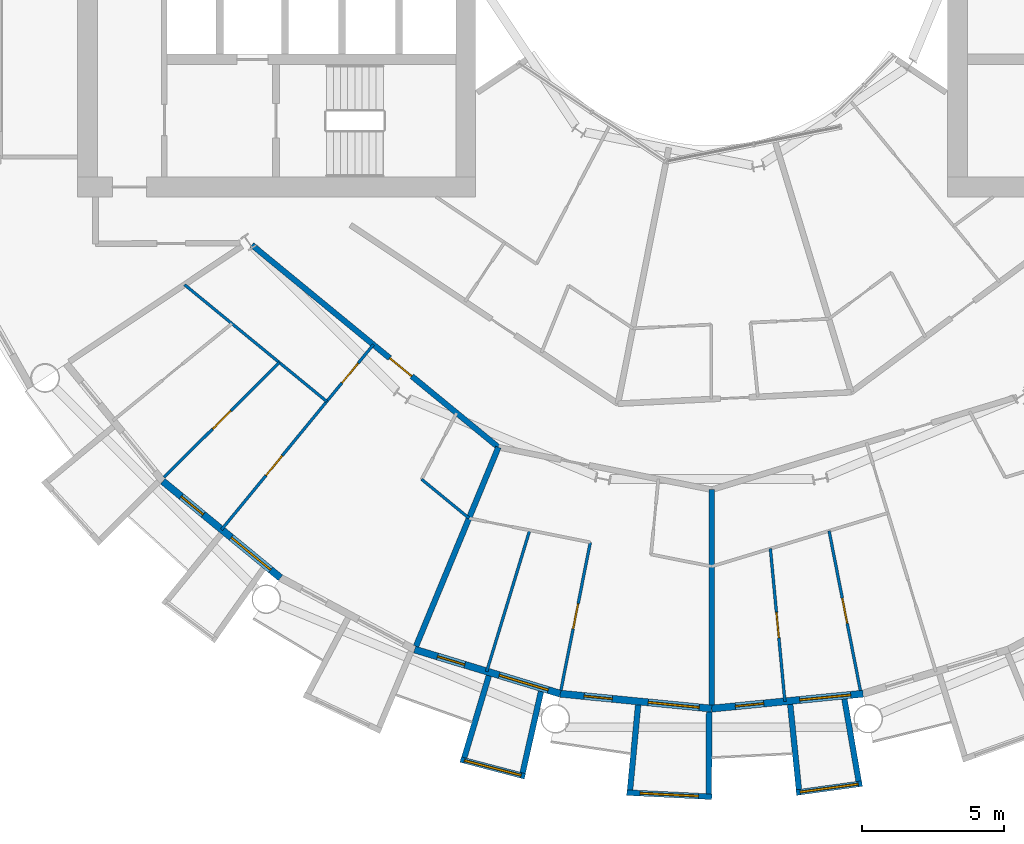
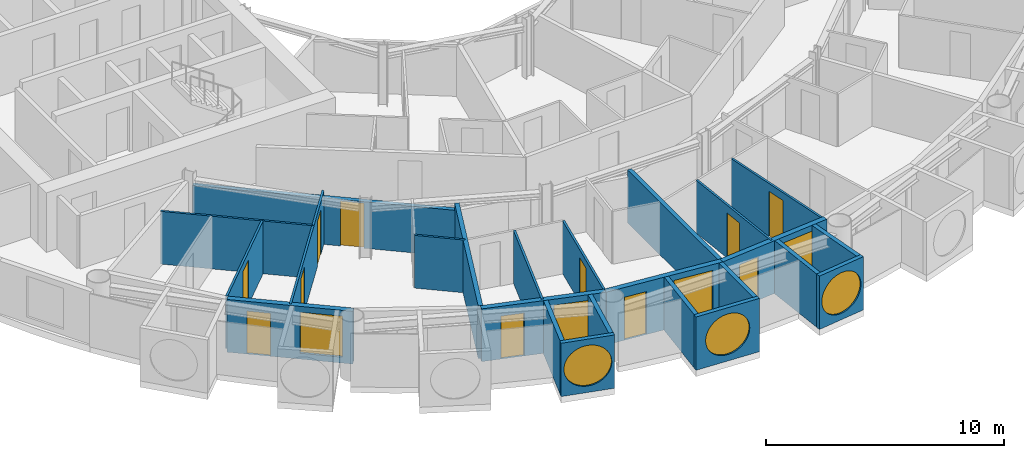
# One storey, part 13 of 26: 24 walls, 11 doors, 7 windows, 18 openings.
"""IFC4 building model written with IfcOpenShell, lengths in metres."""

from ifc_helpers import new_model, si_unit, direction, frame, frame_2d, origin, place, context, subcontext, project, spatial, rectangle, circle, extrude, material, layer, layer_set, type_object, element, fill, save


model = new_model("IFC4")

# Units and contexts
model_context = context("Model", 3, precision=1e-05, world=origin(), true_north=direction((0.0, 1.0)))
body_context = subcontext(model_context, "Body", "Model", "MODEL_VIEW")
ifc_project = project(units=[si_unit("LENGTHUNIT", "METRE"), si_unit("AREAUNIT", "SQUARE_METRE"), si_unit("VOLUMEUNIT", "CUBIC_METRE"), si_unit("PLANEANGLEUNIT", "RADIAN"), si_unit("MASSUNIT", "GRAM", prefix="KILO")], contexts=[model_context])

# Site, building, storey
site_placement = place(None, origin())
site = spatial("IfcSite", under=ifc_project, at=site_placement, CompositionType="ELEMENT")
building_placement = place(site_placement, origin())
building = spatial("IfcBuilding", under=site, at=building_placement, Name="Maasbend Ring Residences", CompositionType="ELEMENT")
storey_placement = place(building_placement, frame((0.0, 0.0, 88.0)))
storey = spatial("IfcBuildingStorey", under=building, at=storey_placement, Name="L25", CompositionType="ELEMENT", Elevation=88.0)

# Wall, opening, door
ifc_material_1 = material(Name="Concrete C30/37", Category="concrete")
ifc_layer_1 = layer(ifc_material_1, 0.199951171875)
ifc_layer_set_1 = layer_set([ifc_layer_1], Name="Concrete C30/37")
wall_type_1 = type_object("IfcWallType", Name="CORRIDOR WALL 200 CONCRETE", PredefinedType="PARTITIONING", material=ifc_layer_set_1)
wall_1_placement = place(storey_placement, frame((-16.173095703125, -10.990966796875, 0.0), z_axis=(0.0, 0.0, 1.0), x_axis=(0.773013989296, -0.634388975591, 0.0)))
wall_1 = element("IfcWall", 1, at=wall_1_placement, inside=storey, type_object=wall_type_1, Name="U-L25-w013", PredefinedType="PARTITIONING", context=body_context, shape_type="SweptSolid", body=[
    extrude(rectangle(XDim=11.218505859375, YDim=0.199951171875, at=frame_2d((5.609375, 0.0))), origin(), (0.0, 0.0, 1.0), 2.3798828125),
])
opening_1_placement = place(wall_1_placement, frame((6.278076171875, 0.0, 0.0)))
opening_1 = element("IfcOpeningElement", 2, at=opening_1_placement, cuts=wall_1, Name="Opening D-2532", PredefinedType="OPENING", context=body_context, shape_type="SweptSolid", body=[
    extrude(rectangle(XDim=1.0, YDim=2.300048828125, at=frame_2d((0.5, 1.14990234375))), frame((0.0, 0.10986328125, 0.0), z_axis=(0.0, -1.0, 0.0), x_axis=(1.0, 0.0, 0.0)), (0.0, 0.0, 1.0), 0.219970703125),
])
ifc_material_2 = material(Name="Timber, fire-rated, painted", Category="wood")
door_type_1 = type_object("IfcDoorType", Name="FLAT ENTRANCE DOOR 1000 X 2300 FIRE-RATED", OperationType="NOTDEFINED", PredefinedType="DOOR", material=ifc_material_2)
door_1_placement = place(opening_1_placement, origin())
door_1 = element("IfcDoor", 3, at=door_1_placement, inside=storey, type_object=door_type_1, Name="D-2532", OperationType="SINGLE_SWING_RIGHT", OverallHeight=2.300048828125, OverallWidth=1.0, PredefinedType="DOOR", context=body_context, shape_type="SweptSolid", body=[
    extrude(rectangle(XDim=1.0, YDim=2.300048828125, at=frame_2d((0.5, 1.14990234375))), frame((0.0, 0.02490234375, 0.0), z_axis=(0.0, -1.0, 0.0), x_axis=(1.0, 0.0, 0.0)), (0.0, 0.0, 1.0), 0.050048828125),
])
fill(opening_1, door_1)

# Wall, opening, window
ifc_material_3 = material(Name="Pale anodised aluminium panel", Category="aluminium")
ifc_layer_2 = layer(ifc_material_3, 0.199951171875)
ifc_layer_set_2 = layer_set([ifc_layer_2], Name="EW-BOX")
wall_type_2 = type_object("IfcWallType", Name="EW-BOX", PredefinedType="SOLIDWALL", material=ifc_layer_set_2)
wall_2_placement = place(storey_placement, frame((-8.827880859375, -29.090087890625, -0.030029296875), z_axis=(0.0, 0.0, 1.0), x_axis=(0.967377102346, -0.253340762326, 0.0)))
wall_2 = element("IfcWall", 4, at=wall_2_placement, inside=storey, type_object=wall_type_2, Name="Box front S08", PredefinedType="SOLIDWALL", context=body_context, shape_type="SweptSolid", body=[
    extrude(rectangle(XDim=2.3359375, YDim=0.199951171875, at=frame_2d((1.16796875, 0.0))), origin(), (0.0, 0.0, 1.0), 2.72998046875),
])
opening_2_placement = place(wall_2_placement, frame((0.128173828125, 0.0, 0.330078125)))
opening_2 = element("IfcOpeningElement", 5, at=opening_2_placement, cuts=wall_2, Name="Opening W-RD", PredefinedType="OPENING", context=body_context, shape_type="SweptSolid", body=[
    extrude(circle(Radius=1.0400390625, at=frame_2d((1.0400390625, 1.0400390625))), frame((0.0, 0.10986328125, 0.0), z_axis=(0.0, -1.0, 0.0), x_axis=(1.0, 0.0, 0.0)), (0.0, 0.0, 1.0), 0.219970703125),
])
ifc_material_4 = material(Name="Aluminium and clear glass", Category="aluminium")
window_type_1 = type_object("IfcWindowType", Name="W-RD", PartitioningType="SINGLE_PANEL", PredefinedType="WINDOW", material=ifc_material_4)
window_1_placement = place(opening_2_placement, origin())
window_1 = element("IfcWindow", 6, at=window_1_placement, inside=storey, type_object=window_type_1, Name="Round window S08", OverallHeight=2.080078125, OverallWidth=2.080078125, PartitioningType="SINGLE_PANEL", PredefinedType="WINDOW", context=body_context, shape_type="SweptSolid", body=[
    extrude(circle(Radius=1.0400390625, at=frame_2d((1.0400390625, 1.0400390625))), frame((0.0, 0.030029296875, 0.0), z_axis=(0.0, -1.0, 0.0), x_axis=(1.0, 0.0, 0.0)), (0.0, 0.0, 1.0), 0.06005859375),
])
fill(opening_2, window_1)

# Walls
wall_3_placement = place(storey_placement, frame((-7.8369140625, -26.14404296875, -0.030029296875), z_axis=(0.0, 0.0, 1.0), x_axis=(-0.287064767992, -0.957911174889, 0.0)))
element("IfcWall", 7, at=wall_3_placement, inside=storey, type_object=wall_type_2, Name="Box side wall S08 left", PredefinedType="SOLIDWALL", context=body_context, shape_type="SweptSolid", body=[
    extrude(rectangle(XDim=3.00634765625, YDim=0.199951171875, at=frame_2d((1.503173828125, 0.0))), origin(), (0.0, 0.0, 1.0), 2.72998046875),
])
wall_4_placement = place(storey_placement, frame((-6.00390625, -26.699951171875, -0.030029296875), z_axis=(0.0, 0.0, 1.0), x_axis=(-0.219609259383, -0.975587911566, 0.0)))
element("IfcWall", 8, at=wall_4_placement, inside=storey, type_object=wall_type_2, Name="Box side wall S08 right", PredefinedType="SOLIDWALL", context=body_context, shape_type="SweptSolid", body=[
    extrude(rectangle(XDim=2.9326171875, YDim=0.199951171875, at=frame_2d((1.46630859375, 0.0))), origin(), (0.0, 0.0, 1.0), 2.72998046875),
])

# Wall, opening, window
wall_5_placement = place(storey_placement, frame((-2.985107421875, -30.2529296875, -0.030029296875), z_axis=(0.0, 0.0, 1.0), x_axis=(0.998794083011, -0.049095618353, 0.0)))
wall_5 = element("IfcWall", 9, at=wall_5_placement, inside=storey, type_object=wall_type_2, Name="Box front S10", PredefinedType="SOLIDWALL", context=body_context, shape_type="SweptSolid", body=[
    extrude(rectangle(XDim=2.99365234375, YDim=0.199951171875, at=frame_2d((1.496826171875, 0.0))), origin(), (0.0, 0.0, 1.0), 2.72998046875),
])
opening_3_placement = place(wall_5_placement, frame((0.45654296875, 0.0, 0.330078125)))
opening_3 = element("IfcOpeningElement", 10, at=opening_3_placement, cuts=wall_5, Name="Opening W-RD", PredefinedType="OPENING", context=body_context, shape_type="SweptSolid", body=[
    extrude(circle(Radius=1.0400390625, at=frame_2d((1.0400390625, 1.0400390625))), frame((0.0, 0.10986328125, 0.0), z_axis=(0.0, -1.0, 0.0), x_axis=(1.0, 0.0, 0.0)), (0.0, 0.0, 1.0), 0.219970703125),
])
window_2_placement = place(opening_3_placement, origin())
window_2 = element("IfcWindow", 11, at=window_2_placement, inside=storey, type_object=window_type_1, Name="Round window S10", OverallHeight=2.080078125, OverallWidth=2.080078125, PartitioningType="SINGLE_PANEL", PredefinedType="WINDOW", context=body_context, shape_type="SweptSolid", body=[
    extrude(circle(Radius=1.0400390625, at=frame_2d((1.0400390625, 1.0400390625))), frame((0.0, 0.030029296875, 0.0), z_axis=(0.0, -1.0, 0.0), x_axis=(1.0, 0.0, 0.0)), (0.0, 0.0, 1.0), 0.06005859375),
])
fill(opening_3, window_2)

# Walls
wall_6_placement = place(storey_placement, frame((-2.5859375, -27.1708984375, -0.030029296875), z_axis=(0.0, 0.0, 1.0), x_axis=(-0.094548432284, -0.995520262954, 0.0)))
element("IfcWall", 12, at=wall_6_placement, inside=storey, type_object=wall_type_2, Name="Box side wall S10 left", PredefinedType="SOLIDWALL", context=body_context, shape_type="SweptSolid", body=[
    extrude(rectangle(XDim=3.005615234375, YDim=0.199951171875, at=frame_2d((1.5029296875, 0.0))), origin(), (0.0, 0.0, 1.0), 2.72998046875),
])
wall_7_placement = place(storey_placement, frame((-0.090087890625, -27.4169921875, -0.030029296875), z_axis=(0.0, 0.0, 1.0), x_axis=(-0.00347308367, -0.999993968827, 0.0)))
element("IfcWall", 13, at=wall_7_placement, inside=storey, type_object=wall_type_2, Name="Box side wall S10 right", PredefinedType="SOLIDWALL", context=body_context, shape_type="SweptSolid", body=[
    extrude(rectangle(XDim=2.882080078125, YDim=0.199951171875, at=frame_2d((1.44091796875, 0.0))), origin(), (0.0, 0.0, 1.0), 2.72998046875),
])

# Wall, opening, window
wall_8_placement = place(storey_placement, frame((2.97607421875, -30.25390625, -0.030029296875), z_axis=(0.0, 0.0, 1.0), x_axis=(0.990696111261, 0.136092671119, 0.0)))
wall_8 = element("IfcWall", 14, at=wall_8_placement, inside=storey, type_object=wall_type_2, Name="Box front S12", PredefinedType="SOLIDWALL", context=body_context, shape_type="SweptSolid", body=[
    extrude(rectangle(XDim=2.335693359375, YDim=0.199951171875, at=frame_2d((1.16796875, 0.0))), origin(), (0.0, 0.0, 1.0), 2.72998046875),
])
opening_4_placement = place(wall_8_placement, frame((0.128173828125, 0.0, 0.330078125)))
opening_4 = element("IfcOpeningElement", 15, at=opening_4_placement, cuts=wall_8, Name="Opening W-RD", PredefinedType="OPENING", context=body_context, shape_type="SweptSolid", body=[
    extrude(circle(Radius=1.0400390625, at=frame_2d((1.0400390625, 1.0400390625))), frame((0.0, 0.10986328125, 0.0), z_axis=(0.0, -1.0, 0.0), x_axis=(1.0, 0.0, 0.0)), (0.0, 0.0, 1.0), 0.219970703125),
])
window_3_placement = place(opening_4_placement, origin())
window_3 = element("IfcWindow", 16, at=window_3_placement, inside=storey, type_object=window_type_1, Name="Round window S12", OverallHeight=2.080078125, OverallWidth=2.080078125, PartitioningType="SINGLE_PANEL", PredefinedType="WINDOW", context=body_context, shape_type="SweptSolid", body=[
    extrude(circle(Radius=1.0400390625, at=frame_2d((1.0400390625, 1.0400390625))), frame((0.0, 0.030029296875, 0.0), z_axis=(0.0, -1.0, 0.0), x_axis=(1.0, 0.0, 0.0)), (0.0, 0.0, 1.0), 0.06005859375),
])
fill(opening_4, window_3)

# Walls
wall_9_placement = place(storey_placement, frame((2.763916015625, -27.153076171875, -0.030029296875), z_axis=(0.0, 0.0, 1.0), x_axis=(0.101505487237, -0.994834979311, 0.0)))
element("IfcWall", 17, at=wall_9_placement, inside=storey, type_object=wall_type_2, Name="Box side wall S12 left", PredefinedType="SOLIDWALL", context=body_context, shape_type="SweptSolid", body=[
    extrude(rectangle(XDim=3.006591796875, YDim=0.199951171875, at=frame_2d((1.50341796875, 0.0))), origin(), (0.0, 0.0, 1.0), 2.72998046875),
])
wall_10_placement = place(storey_placement, frame((4.6708984375, -26.966064453125, -0.030029296875), z_axis=(0.0, 0.0, 1.0), x_axis=(0.170539878907, -0.985350774954, 0.0)))
element("IfcWall", 18, at=wall_10_placement, inside=storey, type_object=wall_type_2, Name="Box side wall S12 right", PredefinedType="SOLIDWALL", context=body_context, shape_type="SweptSolid", body=[
    extrude(rectangle(XDim=2.931884765625, YDim=0.199951171875, at=frame_2d((1.4658203125, 0.0))), origin(), (0.0, 0.0, 1.0), 2.72998046875),
])

# Wall, openings, door, window
ifc_material_5 = material(Name="Aluminium clad insulated panel", Category="aluminium")
ifc_layer_3 = layer(ifc_material_5, 0.25)
ifc_layer_set_3 = layer_set([ifc_layer_3], Name="EW-GL")
wall_type_3 = type_object("IfcWallType", Name="EW-GL", PredefinedType="SOLIDWALL", material=ifc_layer_set_3)
wall_11_placement = place(storey_placement, frame((-19.303955078125, -19.303955078125, 0.0), z_axis=(0.0, 0.0, 1.0), x_axis=(0.773019449054, -0.634382322723, 0.0)))
wall_11 = element("IfcWall", 19, at=wall_11_placement, inside=storey, type_object=wall_type_3, Name="External wall S02", PredefinedType="SOLIDWALL", context=body_context, shape_type="SweptSolid", body=[
    extrude(rectangle(XDim=5.351806640625, YDim=0.25, at=frame_2d((2.67578125, 0.0))), origin(), (0.0, 0.0, 1.0), 2.699951171875),
])
opening_5_placement = place(wall_11_placement, frame((0.841064453125, 0.0, 0.0)))
opening_5 = element("IfcOpeningElement", 20, at=opening_5_placement, cuts=wall_11, Name="Opening D-LG", PredefinedType="OPENING", context=body_context, shape_type="SweptSolid", body=[
    extrude(rectangle(XDim=1.0, YDim=2.199951171875, at=frame_2d((0.5, 1.10009765625))), frame((0.0, 0.135009765625, 0.0), z_axis=(0.0, -1.0, 0.0), x_axis=(1.0, 0.0, 0.0)), (0.0, 0.0, 1.0), 0.27001953125),
])
opening_6_placement = place(wall_11_placement, frame((3.110595703125, 0.0, 0.300048828125)))
opening_6 = element("IfcOpeningElement", 21, at=opening_6_placement, cuts=wall_11, Name="Opening W-BX", PredefinedType="OPENING", context=body_context, shape_type="SweptSolid", body=[
    extrude(rectangle(XDim=1.800048828125, YDim=2.10009765625, at=frame_2d((0.89990234375, 1.050048828125))), frame((0.0, 0.135009765625, 0.0), z_axis=(0.0, -1.0, 0.0), x_axis=(1.0, 0.0, 0.0)), (0.0, 0.0, 1.0), 0.27001953125),
])
ifc_material_6 = material(Name="Aluminium and clear glass", Category="aluminium")
door_type_2 = type_object("IfcDoorType", Name="D-LG", OperationType="SINGLE_SWING_LEFT", PredefinedType="DOOR", material=ifc_material_6)
door_2_placement = place(opening_5_placement, origin())
door_2 = element("IfcDoor", 22, at=door_2_placement, inside=storey, type_object=door_type_2, Name="Loggia door S03", OperationType="SINGLE_SWING_LEFT", OverallHeight=2.199951171875, OverallWidth=1.0, PredefinedType="DOOR", context=body_context, shape_type="SweptSolid", body=[
    extrude(rectangle(XDim=1.0, YDim=2.199951171875, at=frame_2d((0.5, 1.10009765625))), frame((0.0, 0.02490234375, 0.0), z_axis=(0.0, -1.0, 0.0), x_axis=(1.0, 0.0, 0.0)), (0.0, 0.0, 1.0), 0.050048828125),
])
fill(opening_5, door_2)
ifc_material_7 = material(Name="Aluminium and clear glass", Category="aluminium")
window_type_2 = type_object("IfcWindowType", Name="W-BX", PartitioningType="DOUBLE_PANEL_VERTICAL", PredefinedType="WINDOW", material=ifc_material_7)
window_4_placement = place(opening_6_placement, origin())
window_4 = element("IfcWindow", 23, at=window_4_placement, inside=storey, type_object=window_type_2, Name="Window S04 room to box", OverallHeight=2.10009765625, OverallWidth=1.800048828125, PartitioningType="SINGLE_PANEL", PredefinedType="WINDOW", context=body_context, shape_type="SweptSolid", body=[
    extrude(rectangle(XDim=1.800048828125, YDim=2.10009765625, at=frame_2d((0.89990234375, 1.050048828125))), frame((0.0, 0.030029296875, 0.0), z_axis=(0.0, -1.0, 0.0), x_axis=(1.0, 0.0, 0.0)), (0.0, 0.0, 1.0), 0.06005859375),
])
fill(opening_6, window_4)

wall_12_placement = place(storey_placement, frame((-10.447021484375, -25.221923828125, 0.0), z_axis=(0.0, 0.0, 1.0), x_axis=(0.956965678721, -0.290201119486, 0.0)))
wall_12 = element("IfcWall", 24, at=wall_12_placement, inside=storey, type_object=wall_type_3, Name="External wall S04", PredefinedType="SOLIDWALL", context=body_context, shape_type="SweptSolid", body=[
    extrude(rectangle(XDim=5.351318359375, YDim=0.25, at=frame_2d((2.67578125, 0.0))), origin(), (0.0, 0.0, 1.0), 2.699951171875),
])
opening_7_placement = place(wall_12_placement, frame((0.841064453125, 0.0, 0.0)))
opening_7 = element("IfcOpeningElement", 25, at=opening_7_placement, cuts=wall_12, Name="Opening D-LG", PredefinedType="OPENING", context=body_context, shape_type="SweptSolid", body=[
    extrude(rectangle(XDim=1.0, YDim=2.199951171875, at=frame_2d((0.5, 1.10009765625))), frame((0.0, 0.135009765625, 0.0), z_axis=(0.0, -1.0, 0.0), x_axis=(1.0, 0.0, 0.0)), (0.0, 0.0, 1.0), 0.27001953125),
])
opening_8_placement = place(wall_12_placement, frame((3.110595703125, 0.0, 0.300048828125)))
opening_8 = element("IfcOpeningElement", 26, at=opening_8_placement, cuts=wall_12, Name="Opening W-BX", PredefinedType="OPENING", context=body_context, shape_type="SweptSolid", body=[
    extrude(rectangle(XDim=1.800048828125, YDim=2.10009765625, at=frame_2d((0.89990234375, 1.050048828125))), frame((0.0, 0.135009765625, 0.0), z_axis=(0.0, -1.0, 0.0), x_axis=(1.0, 0.0, 0.0)), (0.0, 0.0, 1.0), 0.27001953125),
])
door_3_placement = place(opening_7_placement, origin())
door_3 = element("IfcDoor", 27, at=door_3_placement, inside=storey, type_object=door_type_2, Name="Loggia door S07", OperationType="SINGLE_SWING_LEFT", OverallHeight=2.199951171875, OverallWidth=1.0, PredefinedType="DOOR", context=body_context, shape_type="SweptSolid", body=[
    extrude(rectangle(XDim=1.0, YDim=2.199951171875, at=frame_2d((0.5, 1.10009765625))), frame((0.0, 0.02490234375, 0.0), z_axis=(0.0, -1.0, 0.0), x_axis=(1.0, 0.0, 0.0)), (0.0, 0.0, 1.0), 0.050048828125),
])
fill(opening_7, door_3)
window_5_placement = place(opening_8_placement, origin())
window_5 = element("IfcWindow", 28, at=window_5_placement, inside=storey, type_object=window_type_2, Name="Window S08 room to box", OverallHeight=2.10009765625, OverallWidth=1.800048828125, PartitioningType="SINGLE_PANEL", PredefinedType="WINDOW", context=body_context, shape_type="SweptSolid", body=[
    extrude(rectangle(XDim=1.800048828125, YDim=2.10009765625, at=frame_2d((0.89990234375, 1.050048828125))), frame((0.0, 0.030029296875, 0.0), z_axis=(0.0, -1.0, 0.0), x_axis=(1.0, 0.0, 0.0)), (0.0, 0.0, 1.0), 0.06005859375),
])
fill(opening_8, window_5)

wall_13_placement = place(storey_placement, frame((-5.325927734375, -26.77490234375, 0.0), z_axis=(0.0, 0.0, 1.0), x_axis=(0.995173996315, -0.098126026407, 0.0)))
wall_13 = element("IfcWall", 29, at=wall_13_placement, inside=storey, type_object=wall_type_3, Name="External wall S05", PredefinedType="SOLIDWALL", context=body_context, shape_type="SweptSolid", body=[
    extrude(rectangle(XDim=5.351806640625, YDim=0.25, at=frame_2d((2.67578125, 0.0))), origin(), (0.0, 0.0, 1.0), 2.699951171875),
])
opening_9_placement = place(wall_13_placement, frame((0.841064453125, 0.0, 0.0)))
opening_9 = element("IfcOpeningElement", 30, at=opening_9_placement, cuts=wall_13, Name="Opening D-LG", PredefinedType="OPENING", context=body_context, shape_type="SweptSolid", body=[
    extrude(rectangle(XDim=1.0, YDim=2.199951171875, at=frame_2d((0.5, 1.10009765625))), frame((0.0, 0.135009765625, 0.0), z_axis=(0.0, -1.0, 0.0), x_axis=(1.0, 0.0, 0.0)), (0.0, 0.0, 1.0), 0.27001953125),
])
opening_10_placement = place(wall_13_placement, frame((3.110595703125, 0.0, 0.300048828125)))
opening_10 = element("IfcOpeningElement", 31, at=opening_10_placement, cuts=wall_13, Name="Opening W-BX", PredefinedType="OPENING", context=body_context, shape_type="SweptSolid", body=[
    extrude(rectangle(XDim=1.800048828125, YDim=2.10009765625, at=frame_2d((0.89990234375, 1.050048828125))), frame((0.0, 0.135009765625, 0.0), z_axis=(0.0, -1.0, 0.0), x_axis=(1.0, 0.0, 0.0)), (0.0, 0.0, 1.0), 0.27001953125),
])
door_4_placement = place(opening_9_placement, origin())
door_4 = element("IfcDoor", 32, at=door_4_placement, inside=storey, type_object=door_type_2, Name="Loggia door S09", OperationType="SINGLE_SWING_LEFT", OverallHeight=2.199951171875, OverallWidth=1.0, PredefinedType="DOOR", context=body_context, shape_type="SweptSolid", body=[
    extrude(rectangle(XDim=1.0, YDim=2.199951171875, at=frame_2d((0.5, 1.10009765625))), frame((0.0, 0.02490234375, 0.0), z_axis=(0.0, -1.0, 0.0), x_axis=(1.0, 0.0, 0.0)), (0.0, 0.0, 1.0), 0.050048828125),
])
fill(opening_9, door_4)
window_6_placement = place(opening_10_placement, origin())
window_6 = element("IfcWindow", 33, at=window_6_placement, inside=storey, type_object=window_type_2, Name="Window S10 room to box", OverallHeight=2.10009765625, OverallWidth=1.800048828125, PartitioningType="SINGLE_PANEL", PredefinedType="WINDOW", context=body_context, shape_type="SweptSolid", body=[
    extrude(rectangle(XDim=1.800048828125, YDim=2.10009765625, at=frame_2d((0.89990234375, 1.050048828125))), frame((0.0, 0.030029296875, 0.0), z_axis=(0.0, -1.0, 0.0), x_axis=(1.0, 0.0, 0.0)), (0.0, 0.0, 1.0), 0.06005859375),
])
fill(opening_10, window_6)

wall_14_placement = place(storey_placement, frame((0.0, -27.300048828125, 0.0), z_axis=(0.0, 0.0, 1.0), x_axis=(0.995173996315, 0.098126026407, 0.0)))
wall_14 = element("IfcWall", 34, at=wall_14_placement, inside=storey, type_object=wall_type_3, Name="External wall S06", PredefinedType="SOLIDWALL", context=body_context, shape_type="SweptSolid", body=[
    extrude(rectangle(XDim=5.351806640625, YDim=0.25, at=frame_2d((2.67578125, 0.0))), origin(), (0.0, 0.0, 1.0), 2.699951171875),
])
opening_11_placement = place(wall_14_placement, frame((0.841064453125, 0.0, 0.0)))
opening_11 = element("IfcOpeningElement", 35, at=opening_11_placement, cuts=wall_14, Name="Opening D-LG", PredefinedType="OPENING", context=body_context, shape_type="SweptSolid", body=[
    extrude(rectangle(XDim=1.0, YDim=2.199951171875, at=frame_2d((0.5, 1.10009765625))), frame((0.0, 0.135009765625, 0.0), z_axis=(0.0, -1.0, 0.0), x_axis=(1.0, 0.0, 0.0)), (0.0, 0.0, 1.0), 0.27001953125),
])
opening_12_placement = place(wall_14_placement, frame((3.110595703125, 0.0, 0.300048828125)))
opening_12 = element("IfcOpeningElement", 36, at=opening_12_placement, cuts=wall_14, Name="Opening W-BX", PredefinedType="OPENING", context=body_context, shape_type="SweptSolid", body=[
    extrude(rectangle(XDim=1.800048828125, YDim=2.10009765625, at=frame_2d((0.89990234375, 1.050048828125))), frame((0.0, 0.135009765625, 0.0), z_axis=(0.0, -1.0, 0.0), x_axis=(1.0, 0.0, 0.0)), (0.0, 0.0, 1.0), 0.27001953125),
])
door_5_placement = place(opening_11_placement, origin())
door_5 = element("IfcDoor", 37, at=door_5_placement, inside=storey, type_object=door_type_2, Name="Loggia door S11", OperationType="SINGLE_SWING_LEFT", OverallHeight=2.199951171875, OverallWidth=1.0, PredefinedType="DOOR", context=body_context, shape_type="SweptSolid", body=[
    extrude(rectangle(XDim=1.0, YDim=2.199951171875, at=frame_2d((0.5, 1.10009765625))), frame((0.0, 0.02490234375, 0.0), z_axis=(0.0, -1.0, 0.0), x_axis=(1.0, 0.0, 0.0)), (0.0, 0.0, 1.0), 0.050048828125),
])
fill(opening_11, door_5)
window_7_placement = place(opening_12_placement, origin())
window_7 = element("IfcWindow", 38, at=window_7_placement, inside=storey, type_object=window_type_2, Name="Window S12 room to box", OverallHeight=2.10009765625, OverallWidth=1.800048828125, PartitioningType="SINGLE_PANEL", PredefinedType="WINDOW", context=body_context, shape_type="SweptSolid", body=[
    extrude(rectangle(XDim=1.800048828125, YDim=2.10009765625, at=frame_2d((0.89990234375, 1.050048828125))), frame((0.0, 0.030029296875, 0.0), z_axis=(0.0, -1.0, 0.0), x_axis=(1.0, 0.0, 0.0)), (0.0, 0.0, 1.0), 0.06005859375),
])
fill(opening_12, window_7)

# Walls
ifc_material_8 = material(Name="Gypsum board on steel studs", Category="steel")
ifc_layer_4 = layer(ifc_material_8, 0.10009765625)
ifc_layer_set_4 = layer_set([ifc_layer_4], Name="PARTITION 100 GYPSUM")
wall_type_4 = type_object("IfcWallType", Name="PARTITION 100 GYPSUM", PredefinedType="PARTITIONING", material=ifc_layer_set_4)
wall_15_placement = place(storey_placement, frame((-18.5419921875, -12.388916015625, 0.0), z_axis=(0.0, 0.0, 1.0), x_axis=(0.77296666644, -0.634446634929, 0.0)))
element("IfcWall", 39, at=wall_15_placement, inside=storey, type_object=wall_type_4, Name="U-L25-w007", PredefinedType="PARTITIONING", context=body_context, shape_type="SweptSolid", body=[
    extrude(rectangle(XDim=6.4736328125, YDim=0.10009765625, at=frame_2d((3.23681640625, 0.0))), origin(), (0.0, 0.0, 1.0), 2.699951171875),
])
wall_16_placement = place(storey_placement, frame((-10.201904296875, -19.23388671875, 0.0), z_axis=(0.0, 0.0, 1.0), x_axis=(0.772948171844, -0.634469166818, 0.0)))
element("IfcWall", 40, at=wall_16_placement, inside=storey, type_object=wall_type_4, Name="U-L25-w008", PredefinedType="PARTITIONING", context=body_context, shape_type="SweptSolid", body=[
    extrude(rectangle(XDim=2.157958984375, YDim=0.10009765625, at=frame_2d((1.0791015625, 0.0))), origin(), (0.0, 0.0, 1.0), 2.699951171875),
])

# Wall, opening, door
wall_17_placement = place(storey_placement, frame((-19.264892578125, -19.166015625, 0.0), z_axis=(0.0, 0.0, 1.0), x_axis=(0.708831450128, 0.705377895393, 0.0)))
wall_17 = element("IfcWall", 41, at=wall_17_placement, inside=storey, type_object=wall_type_4, Name="U-L25-w031", PredefinedType="PARTITIONING", context=body_context, shape_type="SweptSolid", body=[
    extrude(rectangle(XDim=5.72607421875, YDim=0.10009765625, at=frame_2d((2.863037109375, 0.0))), origin(), (0.0, 0.0, 1.0), 2.699951171875),
])
opening_13_placement = place(wall_17_placement, frame((2.4130859375, 0.0, 0.0)))
opening_13 = element("IfcOpeningElement", 42, at=opening_13_placement, cuts=wall_17, Name="Opening D-2536", PredefinedType="OPENING", context=body_context, shape_type="SweptSolid", body=[
    extrude(rectangle(XDim=0.89990234375, YDim=2.300048828125, at=frame_2d((0.449951171875, 1.14990234375))), frame((0.0, 0.06005859375, 0.0), z_axis=(0.0, -1.0, 0.0), x_axis=(1.0, 0.0, 0.0)), (0.0, 0.0, 1.0), 0.1201171875),
])
ifc_material_9 = material(Name="Timber, painted", Category="wood")
door_type_3 = type_object("IfcDoorType", Name="INTERNAL DOOR 900 X 2300", OperationType="NOTDEFINED", PredefinedType="DOOR", material=ifc_material_9)
door_6_placement = place(opening_13_placement, origin())
door_6 = element("IfcDoor", 43, at=door_6_placement, inside=storey, type_object=door_type_3, Name="D-2536", OperationType="SINGLE_SWING_LEFT", OverallHeight=2.300048828125, OverallWidth=0.89990234375, PredefinedType="DOOR", context=body_context, shape_type="SweptSolid", body=[
    extrude(rectangle(XDim=0.89990234375, YDim=2.300048828125, at=frame_2d((0.449951171875, 1.14990234375))), frame((0.0, 0.02490234375, 0.0), z_axis=(0.0, -1.0, 0.0), x_axis=(1.0, 0.0, 0.0)), (0.0, 0.0, 1.0), 0.050048828125),
])
fill(opening_13, door_6)

# Wall, openings, doors
wall_18_placement = place(storey_placement, frame((-17.240966796875, -21.006103515625, 0.0), z_axis=(0.0, 0.0, 1.0), x_axis=(0.634522338131, 0.772904523478, 0.0)))
wall_18 = element("IfcWall", 44, at=wall_18_placement, inside=storey, type_object=wall_type_4, Name="U-L25-w032", PredefinedType="PARTITIONING", context=body_context, shape_type="SweptSolid", body=[
    extrude(rectangle(XDim=8.4189453125, YDim=0.10009765625, at=frame_2d((4.20947265625, 0.0))), origin(), (0.0, 0.0, 1.0), 2.699951171875),
])
opening_14_placement = place(wall_18_placement, frame((6.677001953125, 0.0, 0.0)))
opening_14 = element("IfcOpeningElement", 45, at=opening_14_placement, cuts=wall_18, Name="Opening D-2534", PredefinedType="OPENING", context=body_context, shape_type="SweptSolid", body=[
    extrude(rectangle(XDim=0.89990234375, YDim=2.300048828125, at=frame_2d((0.449951171875, 1.14990234375))), frame((0.0, 0.06005859375, 0.0), z_axis=(0.0, -1.0, 0.0), x_axis=(1.0, 0.0, 0.0)), (0.0, 0.0, 1.0), 0.1201171875),
])
opening_15_placement = place(wall_18_placement, frame((2.466064453125, 0.0, 0.0)))
opening_15 = element("IfcOpeningElement", 46, at=opening_15_placement, cuts=wall_18, Name="Opening D-2535", PredefinedType="OPENING", context=body_context, shape_type="SweptSolid", body=[
    extrude(rectangle(XDim=0.89990234375, YDim=2.300048828125, at=frame_2d((0.449951171875, 1.14990234375))), frame((0.0, 0.06005859375, 0.0), z_axis=(0.0, -1.0, 0.0), x_axis=(1.0, 0.0, 0.0)), (0.0, 0.0, 1.0), 0.1201171875),
])
door_7_placement = place(opening_14_placement, origin())
door_7 = element("IfcDoor", 47, at=door_7_placement, inside=storey, type_object=door_type_3, Name="D-2534", OperationType="SINGLE_SWING_RIGHT", OverallHeight=2.300048828125, OverallWidth=0.89990234375, PredefinedType="DOOR", context=body_context, shape_type="SweptSolid", body=[
    extrude(rectangle(XDim=0.89990234375, YDim=2.300048828125, at=frame_2d((0.449951171875, 1.14990234375))), frame((0.0, 0.02490234375, 0.0), z_axis=(0.0, -1.0, 0.0), x_axis=(1.0, 0.0, 0.0)), (0.0, 0.0, 1.0), 0.050048828125),
])
fill(opening_14, door_7)
door_8_placement = place(opening_15_placement, origin())
door_8 = element("IfcDoor", 48, at=door_8_placement, inside=storey, type_object=door_type_3, Name="D-2535", OperationType="SINGLE_SWING_LEFT", OverallHeight=2.300048828125, OverallWidth=0.89990234375, PredefinedType="DOOR", context=body_context, shape_type="SweptSolid", body=[
    extrude(rectangle(XDim=0.89990234375, YDim=2.300048828125, at=frame_2d((0.449951171875, 1.14990234375))), frame((0.0, 0.02490234375, 0.0), z_axis=(0.0, -1.0, 0.0), x_axis=(1.0, 0.0, 0.0)), (0.0, 0.0, 1.0), 0.050048828125),
])
fill(opening_15, door_8)

# Wall
wall_19_placement = place(storey_placement, frame((-7.9130859375, -25.9970703125, 0.0), z_axis=(0.0, 0.0, 1.0), x_axis=(0.291264462755, 0.956642573136, 0.0)))
element("IfcWall", 49, at=wall_19_placement, inside=storey, type_object=wall_type_4, Name="U-L25-w042", PredefinedType="PARTITIONING", context=body_context, shape_type="SweptSolid", body=[
    extrude(rectangle(XDim=5.1953125, YDim=0.10009765625, at=frame_2d((2.59765625, 0.0))), origin(), (0.0, 0.0, 1.0), 2.699951171875),
])

# Wall, opening, door
wall_20_placement = place(storey_placement, frame((-5.302001953125, -26.653076171875, 0.0), z_axis=(0.0, 0.0, 1.0), x_axis=(0.195115793364, 0.980780213493, 0.0)))
wall_20 = element("IfcWall", 50, at=wall_20_placement, inside=storey, type_object=wall_type_4, Name="U-L25-w048", PredefinedType="PARTITIONING", context=body_context, shape_type="SweptSolid", body=[
    extrude(rectangle(XDim=5.30419921875, YDim=0.10009765625, at=frame_2d((2.652099609375, 0.0))), origin(), (0.0, 0.0, 1.0), 2.699951171875),
])
opening_16_placement = place(wall_20_placement, frame((2.201904296875, 0.0, 0.0)))
opening_16 = element("IfcOpeningElement", 51, at=opening_16_placement, cuts=wall_20, Name="Opening D-2540", PredefinedType="OPENING", context=body_context, shape_type="SweptSolid", body=[
    extrude(rectangle(XDim=0.89990234375, YDim=2.300048828125, at=frame_2d((0.449951171875, 1.14990234375))), frame((0.0, 0.06005859375, 0.0), z_axis=(0.0, -1.0, 0.0), x_axis=(1.0, 0.0, 0.0)), (0.0, 0.0, 1.0), 0.1201171875),
])
door_9_placement = place(opening_16_placement, origin())
door_9 = element("IfcDoor", 52, at=door_9_placement, inside=storey, type_object=door_type_3, Name="D-2540", OperationType="SINGLE_SWING_LEFT", OverallHeight=2.300048828125, OverallWidth=0.89990234375, PredefinedType="DOOR", context=body_context, shape_type="SweptSolid", body=[
    extrude(rectangle(XDim=0.89990234375, YDim=2.300048828125, at=frame_2d((0.449951171875, 1.14990234375))), frame((0.0, 0.02490234375, 0.0), z_axis=(0.0, -1.0, 0.0), x_axis=(1.0, 0.0, 0.0)), (0.0, 0.0, 1.0), 0.050048828125),
])
fill(opening_16, door_9)

wall_21_placement = place(storey_placement, frame((2.06494140625, -21.674072265625, 0.0), z_axis=(0.0, 0.0, 1.0), x_axis=(0.094751520537, -0.99550095397, 0.0)))
wall_21 = element("IfcWall", 53, at=wall_21_placement, inside=storey, type_object=wall_type_4, Name="U-L25-w061", PredefinedType="PARTITIONING", context=body_context, shape_type="SweptSolid", body=[
    extrude(rectangle(XDim=5.4033203125, YDim=0.10009765625, at=frame_2d((2.70166015625, 0.0))), origin(), (0.0, 0.0, 1.0), 2.699951171875),
])
opening_17_placement = place(wall_21_placement, frame((2.251953125, 0.0, 0.0)))
opening_17 = element("IfcOpeningElement", 54, at=opening_17_placement, cuts=wall_21, Name="Opening D-2547", PredefinedType="OPENING", context=body_context, shape_type="SweptSolid", body=[
    extrude(rectangle(XDim=0.89990234375, YDim=2.300048828125, at=frame_2d((0.449951171875, 1.14990234375))), frame((0.0, 0.06005859375, 0.0), z_axis=(0.0, -1.0, 0.0), x_axis=(1.0, 0.0, 0.0)), (0.0, 0.0, 1.0), 0.1201171875),
])
door_10_placement = place(opening_17_placement, origin())
door_10 = element("IfcDoor", 55, at=door_10_placement, inside=storey, type_object=door_type_3, Name="D-2547", OperationType="SINGLE_SWING_LEFT", OverallHeight=2.300048828125, OverallWidth=0.89990234375, PredefinedType="DOOR", context=body_context, shape_type="SweptSolid", body=[
    extrude(rectangle(XDim=0.89990234375, YDim=2.300048828125, at=frame_2d((0.449951171875, 1.14990234375))), frame((0.0, 0.02490234375, 0.0), z_axis=(0.0, -1.0, 0.0), x_axis=(1.0, 0.0, 0.0)), (0.0, 0.0, 1.0), 0.050048828125),
])
fill(opening_17, door_10)

wall_22_placement = place(storey_placement, frame((4.1298828125, -21.047119140625, 0.0), z_axis=(0.0, 0.0, 1.0), x_axis=(0.192433779325, -0.981309961518, 0.0)))
wall_22 = element("IfcWall", 56, at=wall_22_placement, inside=storey, type_object=wall_type_4, Name="U-L25-w065", PredefinedType="PARTITIONING", context=body_context, shape_type="SweptSolid", body=[
    extrude(rectangle(XDim=5.726806640625, YDim=0.10009765625, at=frame_2d((2.86328125, 0.0))), origin(), (0.0, 0.0, 1.0), 2.699951171875),
])
opening_18_placement = place(wall_22_placement, frame((2.4140625, 0.0, 0.0)))
opening_18 = element("IfcOpeningElement", 57, at=opening_18_placement, cuts=wall_22, Name="Opening D-2546", PredefinedType="OPENING", context=body_context, shape_type="SweptSolid", body=[
    extrude(rectangle(XDim=0.89990234375, YDim=2.300048828125, at=frame_2d((0.449951171875, 1.14990234375))), frame((0.0, 0.06005859375, 0.0), z_axis=(0.0, -1.0, 0.0), x_axis=(1.0, 0.0, 0.0)), (0.0, 0.0, 1.0), 0.1201171875),
])
door_11_placement = place(opening_18_placement, origin())
door_11 = element("IfcDoor", 58, at=door_11_placement, inside=storey, type_object=door_type_3, Name="D-2546", OperationType="SINGLE_SWING_RIGHT", OverallHeight=2.300048828125, OverallWidth=0.89990234375, PredefinedType="DOOR", context=body_context, shape_type="SweptSolid", body=[
    extrude(rectangle(XDim=0.89990234375, YDim=2.300048828125, at=frame_2d((0.449951171875, 1.14990234375))), frame((0.0, 0.02490234375, 0.0), z_axis=(0.0, -1.0, 0.0), x_axis=(1.0, 0.0, 0.0)), (0.0, 0.0, 1.0), 0.050048828125),
])
fill(opening_18, door_11)

# Walls
ifc_material_10 = material(Name="Concrete C30/37", Category="concrete")
ifc_layer_5 = layer(ifc_material_10, 0.199951171875)
ifc_layer_set_5 = layer_set([ifc_layer_5], Name="Concrete C30/37")
wall_type_5 = type_object("IfcWallType", Name="PARTY WALL 200 CONCRETE", PredefinedType="PARTITIONING", material=ifc_layer_set_5)
wall_23_placement = place(storey_placement, frame((-10.39892578125, -25.10595703125, 0.0), z_axis=(0.0, 0.0, 1.0), x_axis=(0.382600411313, 0.923913916587, 0.0)))
element("IfcWall", 59, at=wall_23_placement, inside=storey, type_object=wall_type_5, Name="U-L25-w037", PredefinedType="PARTITIONING", context=body_context, shape_type="SweptSolid", body=[
    extrude(rectangle(XDim=7.574462890625, YDim=0.199951171875, at=frame_2d((3.787109375, 0.0))), origin(), (0.0, 0.0, 1.0), 2.699951171875),
])
wall_24_placement = place(storey_placement, frame((0.0, -27.175048828125, 0.0), z_axis=(0.0, 0.0, 1.0), x_axis=(0.0, 1.0, 0.0)))
element("IfcWall", 60, at=wall_24_placement, inside=storey, type_object=wall_type_5, Name="U-L25-w057", PredefinedType="PARTITIONING", context=body_context, shape_type="SweptSolid", body=[
    extrude(rectangle(XDim=7.574951171875, YDim=0.199951171875, at=frame_2d((3.78759765625, 0.0))), origin(), (0.0, 0.0, 1.0), 2.699951171875),
])

save(model, "model.ifc")
